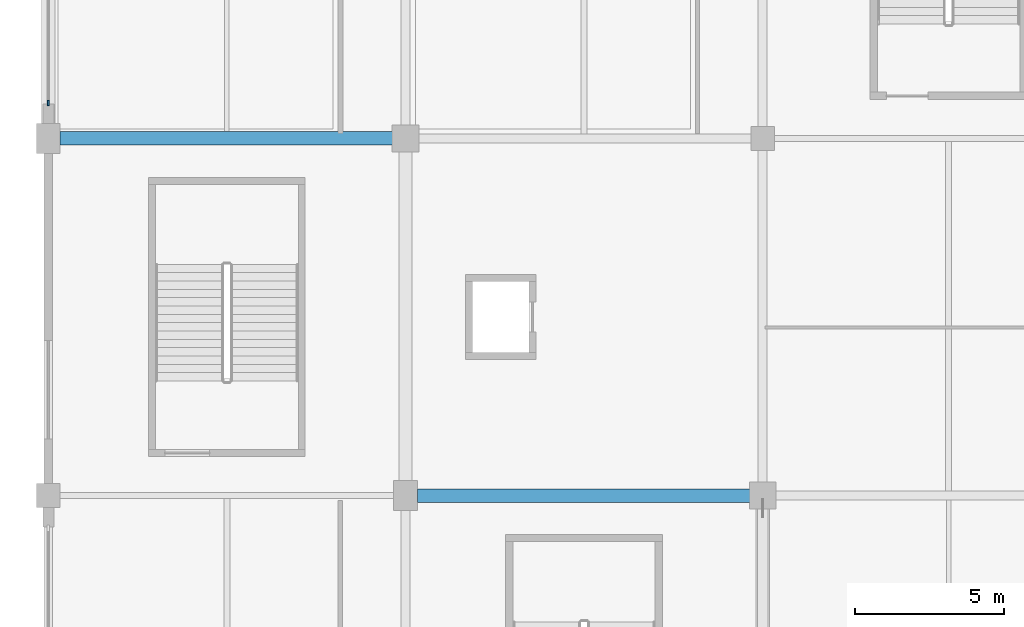
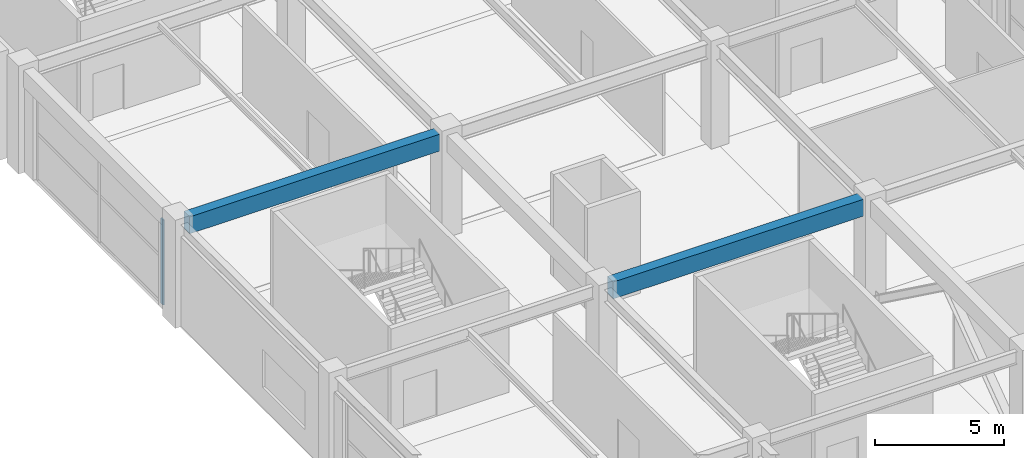
# One storey, part 15 of 116: 2 beams, 1 member, 1 element without a shape of its own.
"""IFC4 building model written with IfcOpenShell, lengths in metres."""

from ifc_helpers import new_model, si_unit, direction, frame, origin, origin_2d, place, context, subcontext, project, spatial, rectangle, extrude, material, layer, layer_set, material_profile, profile_set, type_object, element, aggregate, save


model = new_model("IFC4")

# Units and contexts
model_context = context("Model", 3, precision=1e-05, world=origin(), true_north=direction((0.0, 1.0)))
body_context = subcontext(model_context, "Body", "Model", "MODEL_VIEW")
ifc_project = project(units=[si_unit("LENGTHUNIT", "METRE"), si_unit("AREAUNIT", "SQUARE_METRE"), si_unit("VOLUMEUNIT", "CUBIC_METRE"), si_unit("PLANEANGLEUNIT", "RADIAN"), si_unit("MASSUNIT", "GRAM", prefix="KILO")], contexts=[model_context])

# Site, building, storey
site_placement = place(None, origin())
site = spatial("IfcSite", under=ifc_project, at=site_placement, CompositionType="ELEMENT")
building_placement = place(site_placement, origin())
building = spatial("IfcBuilding", under=site, at=building_placement, Name="Kazenohara Klinker Stadium", CompositionType="ELEMENT")
storey_placement = place(building_placement, frame((0.0, 0.0, 10.199951171875)))
storey = spatial("IfcBuildingStorey", under=building, at=storey_placement, Name="L02", CompositionType="ELEMENT", Elevation=10.199951171875)

# Beams
ifc_material_1 = material(Name="Concrete C40/50", Category="concrete")
ifc_material_profile_1 = material_profile(ifc_material_1, rectangle(XDim=0.449951171875, YDim=0.800048828125, at=origin_2d()), Name="RC-BM-450x800")
ifc_profile_set_1 = profile_set([ifc_material_profile_1], Name="Concrete C40/50")
beam_type = type_object("IfcBeamType", Name="BM-RC03", PredefinedType="BEAM", material=ifc_profile_set_1)
for number, where, z_axis, x_axis, name in (
    (1, (0.39990234375, 72.0, 4.420166015625), (1.0, 0.0, 0.0), (0.0, 1.0, 0.0), "Primary girder BG03 L02 1-2/G"),
    (2, (12.39990234375, 60.0, 4.420166015625), (1.0, 0.0, 0.0), (0.0, 1.0, 0.0), "Primary girder BG03 L02 2-3/F"),
):
    element("IfcBeam", number, at=place(storey_placement, frame(where, z_axis=z_axis, x_axis=x_axis)), inside=storey, type_object=beam_type, Name=name, PredefinedType="BEAM", context=body_context, shape_type="SweptSolid", body=[
        extrude(rectangle(XDim=0.449951171875, YDim=0.800048828125, at=origin_2d()), origin(), (0.0, 0.0, 1.0), 11.18017578125),
    ])

# Curtain wall, member
ifc_material_2 = material(Name="Anodised aluminium and triple glazing", Category="aluminium")
ifc_layer = layer(ifc_material_2, 0.169921875)
ifc_layer_set = layer_set([ifc_layer], Name="Anodised aluminium and triple glazing")
curtain_wall_type = type_object("IfcCurtainWallType", Name="CW-SYS-04", PredefinedType="USERDEFINED", material=ifc_layer_set)
curtain_wall_placement = place(storey_placement, origin())
curtain_wall = element("IfcCurtainWall", 3, at=curtain_wall_placement, inside=storey, type_object=curtain_wall_type, Name="Unitised facade curtain wall CW04 L02 Y0-6", ObjectType="UNITISED CURTAIN WALL", PredefinedType="USERDEFINED")
ifc_material_3 = material(Name="Anodised aluminium 6063-T6", Category="aluminium")
ifc_material_profile_2 = material_profile(ifc_material_3, rectangle(XDim=0.06494140625, YDim=0.179931640625, at=origin_2d()), Name="ALU-MUL-65x180")
ifc_profile_set_2 = profile_set([ifc_material_profile_2], Name="Anodised aluminium 6063-T6")
member_type = type_object("IfcMemberType", Name="CW-MUL-180", PredefinedType="MULLION", material=ifc_profile_set_2)
member_placement = place(storey_placement, frame((0.0, 73.1865234375, 0.0), z_axis=(0.0, 0.0, 1.0), x_axis=(-1.0, 0.0, 0.0)))
member = element("IfcMember", 4, at=member_placement, type_object=member_type, Name="CW04 mullion 1", PredefinedType="MULLION", context=body_context, shape_type="SweptSolid", body=[
    extrude(rectangle(XDim=0.06494140625, YDim=0.179931640625, at=origin_2d()), origin(), (0.0, 0.0, 1.0), 4.02001953125),
])
aggregate(curtain_wall, [member])

save(model, "model.ifc")
